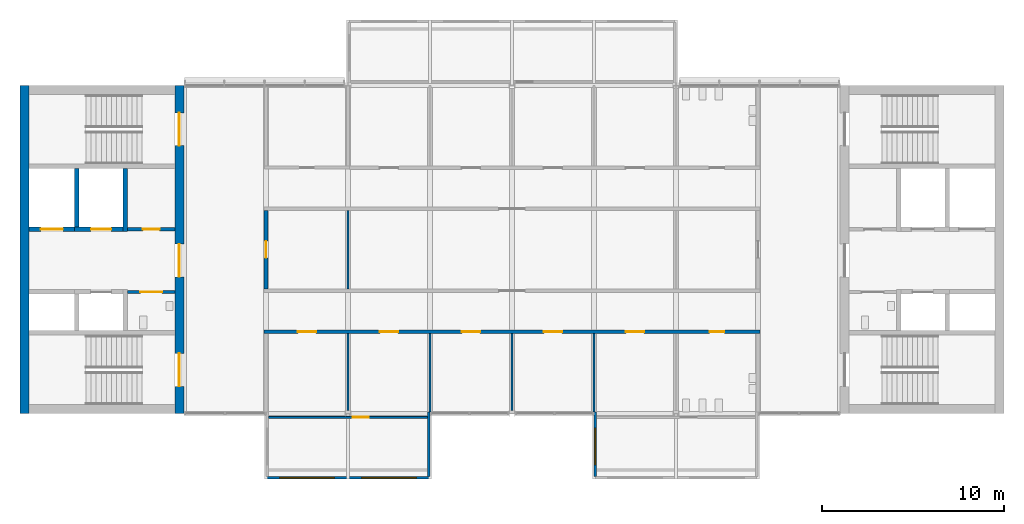
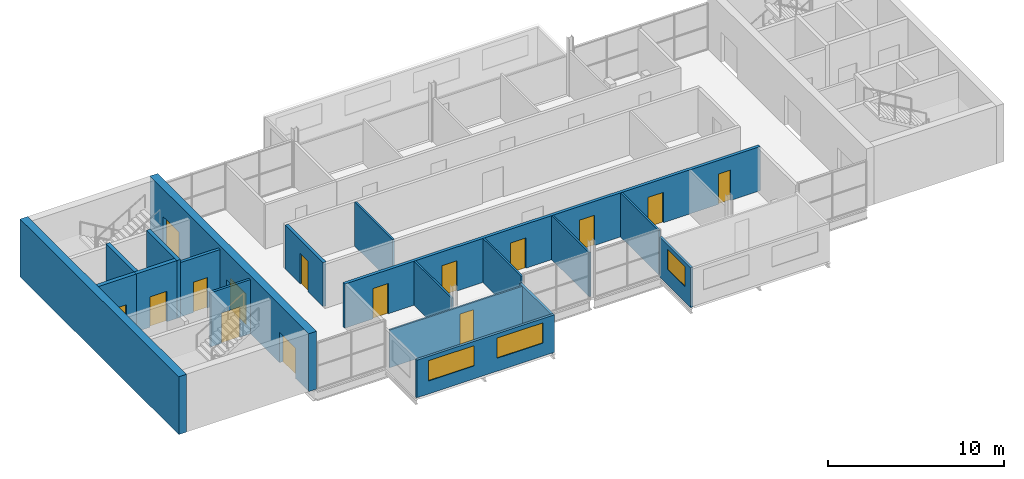
# One storey, part 5 of 10: 19 walls, 15 doors, 3 windows, 18 openings.
"""IFC4 building model written with IfcOpenShell, lengths in metres."""

from ifc_helpers import new_model, si_unit, direction, frame, frame_2d, origin, place, context, subcontext, project, spatial, rectangle, extrude, material, layer, layer_set, type_object, element, fill, save


model = new_model("IFC4")

# Units and contexts
model_context = context("Model", 3, precision=1e-05, world=origin(), true_north=direction((0.0, 1.0)))
body_context = subcontext(model_context, "Body", "Model", "MODEL_VIEW")
ifc_project = project(units=[si_unit("LENGTHUNIT", "METRE"), si_unit("AREAUNIT", "SQUARE_METRE"), si_unit("VOLUMEUNIT", "CUBIC_METRE"), si_unit("PLANEANGLEUNIT", "RADIAN"), si_unit("MASSUNIT", "GRAM", prefix="KILO")], contexts=[model_context])

# Site, building, storey
site_placement = place(None, origin())
site = spatial("IfcSite", under=ifc_project, at=site_placement, CompositionType="ELEMENT")
building_placement = place(site_placement, origin())
building = spatial("IfcBuilding", under=site, at=building_placement, Name="Corbel Yard City Hall", CompositionType="ELEMENT")
storey_placement = place(building_placement, frame((0.0, 0.0, 59.199951171875)))
storey = spatial("IfcBuildingStorey", under=building, at=storey_placement, Name="L14", CompositionType="ELEMENT", Elevation=59.199951171875)

# Walls
ifc_material_1 = material(Name="Concrete N40 (40 MPa)", Category="concrete")
ifc_layer_1 = layer(ifc_material_1, 0.25)
ifc_layer_set_1 = layer_set([ifc_layer_1], Name="Concrete N40 (40 MPa)")
wall_type_1 = type_object("IfcWallType", Name="IW2", PredefinedType="SOLIDWALL", material=ifc_layer_set_1)
wall_1_placement = place(storey_placement, frame((5.77490234375, 109.0, 0.0), z_axis=(0.0, 0.0, 1.0), x_axis=(0.0, 1.0, 0.0)))
element("IfcWall", 1, at=wall_1_placement, inside=storey, type_object=wall_type_1, Name="Lift LP24 shaft wall", PredefinedType="SOLIDWALL", context=body_context, shape_type="SweptSolid", body=[
    extrude(rectangle(XDim=3.449951171875, YDim=0.25, at=frame_2d((1.72509765625, 0.0))), origin(), (0.0, 0.0, 1.0), 4.0),
])
wall_2_placement = place(storey_placement, frame((3.125, 109.25, 0.0), z_axis=(0.0, 0.0, 1.0), x_axis=(0.0, 1.0, 0.0)))
element("IfcWall", 2, at=wall_2_placement, inside=storey, type_object=wall_type_1, Name="Lift LP24 shaft wall", PredefinedType="SOLIDWALL", context=body_context, shape_type="SweptSolid", body=[
    extrude(rectangle(XDim=3.199951171875, YDim=0.25, at=frame_2d((1.60009765625, 0.0))), origin(), (0.0, 0.0, 1.0), 4.0),
])

# Wall, opening, door
wall_3_placement = place(storey_placement, frame((5.64990234375, 109.125, 0.0), z_axis=(0.0, 0.0, 1.0), x_axis=(-1.0, 0.0, 0.0)))
wall_3 = element("IfcWall", 3, at=wall_3_placement, inside=storey, type_object=wall_type_1, Name="Lift LP24 shaft wall", PredefinedType="SOLIDWALL", context=body_context, shape_type="SweptSolid", body=[
    extrude(rectangle(XDim=2.64990234375, YDim=0.25, at=frame_2d((1.324951171875, 0.0))), origin(), (0.0, 0.0, 1.0), 4.0),
])
opening_1_placement = place(wall_3_placement, frame((0.64990234375, 0.0, 0.0)))
opening_1 = element("IfcOpeningElement", 4, at=opening_1_placement, cuts=wall_3, Name="Opening T4-005", PredefinedType="OPENING", context=body_context, shape_type="SweptSolid", body=[
    extrude(rectangle(XDim=1.10009765625, YDim=2.10009765625, at=frame_2d((0.550048828125, 1.050048828125))), frame((0.0, 0.135009765625, 0.0), z_axis=(0.0, -1.0, 0.0), x_axis=(1.0, 0.0, 0.0)), (0.0, 0.0, 1.0), 0.27001953125),
])
ifc_material_2 = material(Name="Stainless steel Grade 316", Category="steel")
door_type_1 = type_object("IfcDoorType", Name="LD1", OperationType="DOUBLE_DOOR_SLIDING", PredefinedType="DOOR", material=ifc_material_2)
door_1_placement = place(opening_1_placement, origin())
door_1 = element("IfcDoor", 5, at=door_1_placement, inside=storey, type_object=door_type_1, Name="Lift LP24 landing door", OperationType="DOUBLE_DOOR_SLIDING", OverallHeight=2.10009765625, OverallWidth=1.10009765625, PredefinedType="DOOR", context=body_context, shape_type="SweptSolid", body=[
    extrude(rectangle(XDim=1.10009765625, YDim=2.10009765625, at=frame_2d((0.550048828125, 1.050048828125))), frame((0.0, 0.02490234375, 0.0), z_axis=(0.0, -1.0, 0.0), x_axis=(1.0, 0.0, 0.0)), (0.0, 0.0, 1.0), 0.050048828125),
])
fill(opening_1, door_1)

wall_4_placement = place(storey_placement, frame((3.0, 109.125, 0.0), z_axis=(0.0, 0.0, 1.0), x_axis=(-1.0, 0.0, 0.0)))
wall_4 = element("IfcWall", 6, at=wall_4_placement, inside=storey, type_object=wall_type_1, Name="Lift LF1 shaft wall", PredefinedType="SOLIDWALL", context=body_context, shape_type="SweptSolid", body=[
    extrude(rectangle(XDim=2.5, YDim=0.25, at=frame_2d((1.25, 0.0))), origin(), (0.0, 0.0, 1.0), 4.0),
])
opening_2_placement = place(wall_4_placement, frame((0.64990234375, 0.0, 0.0)))
opening_2 = element("IfcOpeningElement", 7, at=opening_2_placement, cuts=wall_4, Name="Opening T4-006", PredefinedType="OPENING", context=body_context, shape_type="SweptSolid", body=[
    extrude(rectangle(XDim=1.199951171875, YDim=2.10009765625, at=frame_2d((0.60009765625, 1.050048828125))), frame((0.0, 0.135009765625, 0.0), z_axis=(0.0, -1.0, 0.0), x_axis=(1.0, 0.0, 0.0)), (0.0, 0.0, 1.0), 0.27001953125),
])
door_type_2 = type_object("IfcDoorType", Name="LD2", OperationType="DOUBLE_DOOR_SLIDING", PredefinedType="DOOR", material=ifc_material_2)
door_2_placement = place(opening_2_placement, origin())
door_2 = element("IfcDoor", 8, at=door_2_placement, inside=storey, type_object=door_type_2, Name="Lift LF1 landing door", OperationType="DOUBLE_DOOR_SLIDING", OverallHeight=2.10009765625, OverallWidth=1.199951171875, PredefinedType="DOOR", context=body_context, shape_type="SweptSolid", body=[
    extrude(rectangle(XDim=1.199951171875, YDim=2.10009765625, at=frame_2d((0.60009765625, 1.050048828125))), frame((0.0, 0.02490234375, 0.0), z_axis=(0.0, -1.0, 0.0), x_axis=(1.0, 0.0, 0.0)), (0.0, 0.0, 1.0), 0.050048828125),
])
fill(opening_2, door_2)

# Wall, openings, windows
ifc_material_3 = material(Name="Anodised aluminium", Category="aluminium")
ifc_layer_2 = layer(ifc_material_3, 0.02392578125)
ifc_material_4 = material(Name="Steel Grade G550 (550 MPa yield)", Category="steel")
ifc_layer_3 = layer(ifc_material_4, 0.10009765625)
ifc_material_5 = material(Name="Gypsum plasterboard", Category="gypsum")
ifc_layer_4 = layer(ifc_material_5, 0.02587890625)
ifc_layer_set_2 = layer_set([ifc_layer_2, ifc_layer_3, ifc_layer_4], Name="Steel Grade G550 (550 MPa yield)")
wall_type_2 = type_object("IfcWallType", Name="PD1", PredefinedType="SOLIDWALL", material=ifc_layer_set_2)
wall_5_placement = place(storey_placement, frame((13.5, 95.47509765625, 0.0), z_axis=(0.0, 0.0, 1.0), x_axis=(1.0, 0.0, 0.0)))
wall_5 = element("IfcWall", 9, at=wall_5_placement, inside=storey, type_object=wall_type_2, Name="Pod outer wall L14", PredefinedType="SOLIDWALL", context=body_context, shape_type="SweptSolid", body=[
    extrude(rectangle(XDim=9.0, YDim=0.14990234375, at=frame_2d((4.5, 0.0))), origin(), (0.0, 0.0, 1.0), 2.60009765625),
])
opening_3_placement = place(wall_5_placement, frame((0.75, 0.0, 0.89990234375)))
opening_3 = element("IfcOpeningElement", 10, at=opening_3_placement, cuts=wall_5, Name="Opening WN5", PredefinedType="OPENING", context=body_context, shape_type="SweptSolid", body=[
    extrude(rectangle(XDim=3.0, YDim=1.39990234375, at=frame_2d((1.5, 0.699951171875))), frame((0.0, 0.0849609375, 0.0), z_axis=(0.0, -1.0, 0.0), x_axis=(1.0, 0.0, 0.0)), (0.0, 0.0, 1.0), 0.169921875),
])
opening_4_placement = place(wall_5_placement, frame((5.25, 0.0, 0.89990234375)))
opening_4 = element("IfcOpeningElement", 11, at=opening_4_placement, cuts=wall_5, Name="Opening WN5", PredefinedType="OPENING", context=body_context, shape_type="SweptSolid", body=[
    extrude(rectangle(XDim=3.0, YDim=1.39990234375, at=frame_2d((1.5, 0.699951171875))), frame((0.0, 0.0849609375, 0.0), z_axis=(0.0, -1.0, 0.0), x_axis=(1.0, 0.0, 0.0)), (0.0, 0.0, 1.0), 0.169921875),
])
ifc_material_6 = material(Name="Aluminium frame, double glazed low-e glass", Category="aluminium")
window_type_1 = type_object("IfcWindowType", Name="WN5", PartitioningType="SINGLE_PANEL", PredefinedType="WINDOW", material=ifc_material_6)
window_1_placement = place(opening_3_placement, origin())
window_1 = element("IfcWindow", 12, at=window_1_placement, inside=storey, type_object=window_type_1, Name="Window WN5 L14", OverallHeight=1.39990234375, OverallWidth=3.0, PartitioningType="SINGLE_PANEL", PredefinedType="WINDOW", context=body_context, shape_type="SweptSolid", body=[
    extrude(rectangle(XDim=3.0, YDim=1.39990234375, at=frame_2d((1.5, 0.699951171875))), frame((0.0, 0.030029296875, 0.0), z_axis=(0.0, -1.0, 0.0), x_axis=(1.0, 0.0, 0.0)), (0.0, 0.0, 1.0), 0.06005859375),
])
fill(opening_3, window_1)
window_2_placement = place(opening_4_placement, origin())
window_2 = element("IfcWindow", 13, at=window_2_placement, inside=storey, type_object=window_type_1, Name="Window WN5 L14", OverallHeight=1.39990234375, OverallWidth=3.0, PartitioningType="SINGLE_PANEL", PredefinedType="WINDOW", context=body_context, shape_type="SweptSolid", body=[
    extrude(rectangle(XDim=3.0, YDim=1.39990234375, at=frame_2d((1.5, 0.699951171875))), frame((0.0, 0.030029296875, 0.0), z_axis=(0.0, -1.0, 0.0), x_axis=(1.0, 0.0, 0.0)), (0.0, 0.0, 1.0), 0.06005859375),
])
fill(opening_4, window_2)

# Wall, opening, door
ifc_layer_5 = layer(ifc_material_5, 0.01806640625)
ifc_layer_6 = layer(ifc_material_4, 0.06396484375)
ifc_layer_7 = layer(ifc_material_5, 0.01806640625)
ifc_layer_set_3 = layer_set([ifc_layer_5, ifc_layer_6, ifc_layer_7], Name="Steel Grade G550 (550 MPa yield)")
wall_type_3 = type_object("IfcWallType", Name="PD2", PredefinedType="PARTITIONING", material=ifc_layer_set_3)
wall_6_placement = place(storey_placement, frame((13.64990234375, 98.79443359375, 0.0), z_axis=(0.0, 0.0, 1.0), x_axis=(1.0, 0.0, 0.0)))
wall_6 = element("IfcWall", 14, at=wall_6_placement, inside=storey, type_object=wall_type_3, Name="Pod inner wall L14", PredefinedType="PARTITIONING", context=body_context, shape_type="SweptSolid", body=[
    extrude(rectangle(XDim=8.7001953125, YDim=0.10009765625, at=frame_2d((4.35009765625, 0.0))), origin(), (0.0, 0.0, 1.0), 2.60009765625),
])
opening_5_placement = place(wall_6_placement, frame((4.60009765625, 0.0, 0.0)))
opening_5 = element("IfcOpeningElement", 15, at=opening_5_placement, cuts=wall_6, Name="Opening T4-001", PredefinedType="OPENING", context=body_context, shape_type="SweptSolid", body=[
    extrude(rectangle(XDim=0.89990234375, YDim=2.10009765625, at=frame_2d((0.449951171875, 1.050048828125))), frame((0.0, 0.06005859375, 0.0), z_axis=(0.0, -1.0, 0.0), x_axis=(1.0, 0.0, 0.0)), (0.0, 0.0, 1.0), 0.1201171875),
])
ifc_material_7 = material(Name="Timber, solid core", Category="wood")
door_type_3 = type_object("IfcDoorType", Name="XD6", OperationType="SINGLE_SWING_LEFT", PredefinedType="DOOR", material=ifc_material_7)
door_3_placement = place(opening_5_placement, origin())
door_3 = element("IfcDoor", 16, at=door_3_placement, inside=storey, type_object=door_type_3, Name="Pod door L14", OperationType="SINGLE_SWING_LEFT", OverallHeight=2.10009765625, OverallWidth=0.89990234375, PredefinedType="DOOR", context=body_context, shape_type="SweptSolid", body=[
    extrude(rectangle(XDim=0.89990234375, YDim=2.10009765625, at=frame_2d((0.449951171875, 1.050048828125))), frame((0.0, 0.02490234375, 0.0), z_axis=(0.0, -1.0, 0.0), x_axis=(1.0, 0.0, 0.0)), (0.0, 0.0, 1.0), 0.050048828125),
])
fill(opening_5, door_3)

# Wall
ifc_layer_8 = layer(ifc_material_3, 0.02392578125)
ifc_layer_9 = layer(ifc_material_4, 0.10009765625)
ifc_layer_10 = layer(ifc_material_5, 0.02587890625)
ifc_layer_set_4 = layer_set([ifc_layer_8, ifc_layer_9, ifc_layer_10], Name="Steel Grade G550 (550 MPa yield)")
wall_type_4 = type_object("IfcWallType", Name="PD3", PredefinedType="SOLIDWALL", material=ifc_layer_set_4)
wall_7_placement = place(storey_placement, frame((22.425048828125, 95.550048828125, -0.14990234375), z_axis=(0.0, 0.0, 1.0), x_axis=(0.0, 1.0, 0.0)))
element("IfcWall", 17, at=wall_7_placement, inside=storey, type_object=wall_type_4, Name="Pod side wall L14", PredefinedType="SOLIDWALL", context=body_context, shape_type="SweptSolid", body=[
    extrude(rectangle(XDim=3.52490234375, YDim=0.14990234375, at=frame_2d((1.762451171875, 0.0))), origin(), (0.0, 0.0, 1.0), 2.75),
])

# Wall, opening, window
wall_8_placement = place(storey_placement, frame((31.574951171875, 95.550048828125, -0.14990234375), z_axis=(0.0, 0.0, 1.0), x_axis=(0.0, 1.0, 0.0)))
wall_8 = element("IfcWall", 18, at=wall_8_placement, inside=storey, type_object=wall_type_4, Name="Pod side wall L14", PredefinedType="SOLIDWALL", context=body_context, shape_type="SweptSolid", body=[
    extrude(rectangle(XDim=3.52490234375, YDim=0.14990234375, at=frame_2d((1.762451171875, 0.0))), origin(), (0.0, 0.0, 1.0), 2.75),
])
opening_6_placement = place(wall_8_placement, frame((0.647216796875, 0.0, 1.050048828125)))
opening_6 = element("IfcOpeningElement", 19, at=opening_6_placement, cuts=wall_8, Name="Opening WN6", PredefinedType="OPENING", context=body_context, shape_type="SweptSolid", body=[
    extrude(rectangle(XDim=2.0, YDim=1.39990234375, at=frame_2d((1.0, 0.699951171875))), frame((0.0, 0.0849609375, 0.0), z_axis=(0.0, -1.0, 0.0), x_axis=(1.0, 0.0, 0.0)), (0.0, 0.0, 1.0), 0.169921875),
])
window_type_2 = type_object("IfcWindowType", Name="WN6", PartitioningType="SINGLE_PANEL", PredefinedType="WINDOW", material=ifc_material_6)
window_3_placement = place(opening_6_placement, origin())
window_3 = element("IfcWindow", 20, at=window_3_placement, inside=storey, type_object=window_type_2, Name="Window WN6 L14", OverallHeight=1.39990234375, OverallWidth=2.0, PartitioningType="SINGLE_PANEL", PredefinedType="WINDOW", context=body_context, shape_type="SweptSolid", body=[
    extrude(rectangle(XDim=2.0, YDim=1.39990234375, at=frame_2d((1.0, 0.699951171875))), frame((0.0, 0.030029296875, 0.0), z_axis=(0.0, -1.0, 0.0), x_axis=(1.0, 0.0, 0.0)), (0.0, 0.0, 1.0), 0.06005859375),
])
fill(opening_6, window_3)

# Walls
ifc_layer_11 = layer(ifc_material_5, 0.028076171875)
ifc_layer_12 = layer(ifc_material_4, 0.06396484375)
ifc_layer_13 = layer(ifc_material_5, 0.028076171875)
ifc_layer_set_5 = layer_set([ifc_layer_11, ifc_layer_12, ifc_layer_13], Name="Steel Grade G550 (550 MPa yield)")
wall_type_5 = type_object("IfcWallType", Name="PT1", PredefinedType="PARTITIONING", material=ifc_layer_set_5)
wall_9_placement = place(storey_placement, frame((18.0, 99.16357421875, 0.0), z_axis=(0.0, 0.0, 1.0), x_axis=(0.0, 1.0, 0.0)))
element("IfcWall", 21, at=wall_9_placement, inside=storey, type_object=wall_type_5, Name="Partition", PredefinedType="PARTITIONING", context=body_context, shape_type="SweptSolid", body=[
    extrude(rectangle(XDim=4.236328125, YDim=0.1201171875, at=frame_2d((2.1181640625, 0.0))), origin(), (0.0, 0.0, 1.0), 3.050048828125),
])
wall_10_placement = place(storey_placement, frame((18.0, 105.85009765625, 0.0), z_axis=(0.0, 0.0, 1.0), x_axis=(0.0, 1.0, 0.0)))
element("IfcWall", 22, at=wall_10_placement, inside=storey, type_object=wall_type_5, Name="Partition", PredefinedType="PARTITIONING", context=body_context, shape_type="SweptSolid", body=[
    extrude(rectangle(XDim=4.2998046875, YDim=0.1201171875, at=frame_2d((2.14990234375, 0.0))), origin(), (0.0, 0.0, 1.0), 3.050048828125),
])
wall_11_placement = place(storey_placement, frame((22.5, 99.074951171875, 0.0), z_axis=(0.0, 0.0, 1.0), x_axis=(0.0, 1.0, 0.0)))
element("IfcWall", 23, at=wall_11_placement, inside=storey, type_object=wall_type_5, Name="Partition", PredefinedType="PARTITIONING", context=body_context, shape_type="SweptSolid", body=[
    extrude(rectangle(XDim=4.324951171875, YDim=0.1201171875, at=frame_2d((2.16259765625, 0.0))), origin(), (0.0, 0.0, 1.0), 3.050048828125),
])
wall_12_placement = place(storey_placement, frame((27.0, 99.16357421875, 0.0), z_axis=(0.0, 0.0, 1.0), x_axis=(0.0, 1.0, 0.0)))
element("IfcWall", 24, at=wall_12_placement, inside=storey, type_object=wall_type_5, Name="Partition", PredefinedType="PARTITIONING", context=body_context, shape_type="SweptSolid", body=[
    extrude(rectangle(XDim=4.236328125, YDim=0.1201171875, at=frame_2d((2.1181640625, 0.0))), origin(), (0.0, 0.0, 1.0), 3.050048828125),
])
wall_13_placement = place(storey_placement, frame((31.5, 99.074951171875, 0.0), z_axis=(0.0, 0.0, 1.0), x_axis=(0.0, 1.0, 0.0)))
element("IfcWall", 25, at=wall_13_placement, inside=storey, type_object=wall_type_5, Name="Partition", PredefinedType="PARTITIONING", context=body_context, shape_type="SweptSolid", body=[
    extrude(rectangle(XDim=4.324951171875, YDim=0.1201171875, at=frame_2d((2.16259765625, 0.0))), origin(), (0.0, 0.0, 1.0), 3.050048828125),
])

# Wall, openings, doors
ifc_layer_14 = layer(ifc_material_5, 0.031982421875)
ifc_layer_15 = layer(ifc_material_4, 0.135986328125)
ifc_layer_16 = layer(ifc_material_5, 0.031982421875)
ifc_layer_set_6 = layer_set([ifc_layer_14, ifc_layer_15, ifc_layer_16], Name="Steel Grade G550 (550 MPa yield)")
wall_type_6 = type_object("IfcWallType", Name="PT2", PredefinedType="PARTITIONING", material=ifc_layer_set_6)
wall_14_placement = place(storey_placement, frame((13.39990234375, 103.5, 0.0), z_axis=(0.0, 0.0, 1.0), x_axis=(1.0, 0.0, 0.0)))
wall_14 = element("IfcWall", 26, at=wall_14_placement, inside=storey, type_object=wall_type_6, Name="Acoustic wall", PredefinedType="PARTITIONING", context=body_context, shape_type="SweptSolid", body=[
    extrude(rectangle(XDim=27.2001953125, YDim=0.199951171875, at=frame_2d((13.60009765625, 0.0))), origin(), (0.0, 0.0, 1.0), 3.050048828125),
])
opening_7_placement = place(wall_14_placement, frame((1.85009765625, 0.0, 0.0)))
opening_7 = element("IfcOpeningElement", 27, at=opening_7_placement, cuts=wall_14, Name="Opening T4-014", PredefinedType="OPENING", context=body_context, shape_type="SweptSolid", body=[
    extrude(rectangle(XDim=1.0, YDim=2.10009765625, at=frame_2d((0.5, 1.050048828125))), frame((0.0, 0.10986328125, 0.0), z_axis=(0.0, -1.0, 0.0), x_axis=(1.0, 0.0, 0.0)), (0.0, 0.0, 1.0), 0.219970703125),
])
opening_8_placement = place(wall_14_placement, frame((6.35009765625, 0.0, 0.0)))
opening_8 = element("IfcOpeningElement", 28, at=opening_8_placement, cuts=wall_14, Name="Opening T4-015", PredefinedType="OPENING", context=body_context, shape_type="SweptSolid", body=[
    extrude(rectangle(XDim=1.0, YDim=2.10009765625, at=frame_2d((0.5, 1.050048828125))), frame((0.0, 0.10986328125, 0.0), z_axis=(0.0, -1.0, 0.0), x_axis=(1.0, 0.0, 0.0)), (0.0, 0.0, 1.0), 0.219970703125),
])
opening_9_placement = place(wall_14_placement, frame((10.85009765625, 0.0, 0.0)))
opening_9 = element("IfcOpeningElement", 29, at=opening_9_placement, cuts=wall_14, Name="Opening T4-016", PredefinedType="OPENING", context=body_context, shape_type="SweptSolid", body=[
    extrude(rectangle(XDim=1.0, YDim=2.10009765625, at=frame_2d((0.5, 1.050048828125))), frame((0.0, 0.10986328125, 0.0), z_axis=(0.0, -1.0, 0.0), x_axis=(1.0, 0.0, 0.0)), (0.0, 0.0, 1.0), 0.219970703125),
])
opening_10_placement = place(wall_14_placement, frame((15.35009765625, 0.0, 0.0)))
opening_10 = element("IfcOpeningElement", 30, at=opening_10_placement, cuts=wall_14, Name="Opening T4-017", PredefinedType="OPENING", context=body_context, shape_type="SweptSolid", body=[
    extrude(rectangle(XDim=1.0, YDim=2.10009765625, at=frame_2d((0.5, 1.050048828125))), frame((0.0, 0.10986328125, 0.0), z_axis=(0.0, -1.0, 0.0), x_axis=(1.0, 0.0, 0.0)), (0.0, 0.0, 1.0), 0.219970703125),
])
opening_11_placement = place(wall_14_placement, frame((19.85009765625, 0.0, 0.0)))
opening_11 = element("IfcOpeningElement", 31, at=opening_11_placement, cuts=wall_14, Name="Opening T4-018", PredefinedType="OPENING", context=body_context, shape_type="SweptSolid", body=[
    extrude(rectangle(XDim=1.0, YDim=2.10009765625, at=frame_2d((0.5, 1.050048828125))), frame((0.0, 0.10986328125, 0.0), z_axis=(0.0, -1.0, 0.0), x_axis=(1.0, 0.0, 0.0)), (0.0, 0.0, 1.0), 0.219970703125),
])
opening_12_placement = place(wall_14_placement, frame((24.449951171875, 0.0, 0.0)))
opening_12 = element("IfcOpeningElement", 32, at=opening_12_placement, cuts=wall_14, Name="Opening T4-019", PredefinedType="OPENING", context=body_context, shape_type="SweptSolid", body=[
    extrude(rectangle(XDim=0.800048828125, YDim=2.10009765625, at=frame_2d((0.39990234375, 1.050048828125))), frame((0.0, 0.10986328125, 0.0), z_axis=(0.0, -1.0, 0.0), x_axis=(1.0, 0.0, 0.0)), (0.0, 0.0, 1.0), 0.219970703125),
])
ifc_material_8 = material(Name="Timber", Category="wood")
door_type_4 = type_object("IfcDoorType", Name="D1", OperationType="SINGLE_SWING_LEFT", PredefinedType="DOOR", material=ifc_material_8)
door_4_placement = place(opening_7_placement, frame((1.0, 0.0, 0.0), z_axis=(0.0, 0.0, 1.0), x_axis=(-1.0, 0.0, 0.0)))
door_4 = element("IfcDoor", 33, at=door_4_placement, inside=storey, type_object=door_type_4, Name="Door Officer's Office 1412", OperationType="SINGLE_SWING_RIGHT", OverallHeight=2.10009765625, OverallWidth=1.0, PredefinedType="DOOR", context=body_context, shape_type="SweptSolid", body=[
    extrude(rectangle(XDim=1.0, YDim=2.10009765625, at=frame_2d((0.5, 1.050048828125))), frame((0.0, 0.02490234375, 0.0), z_axis=(0.0, -1.0, 0.0), x_axis=(1.0, 0.0, 0.0)), (0.0, 0.0, 1.0), 0.050048828125),
])
fill(opening_7, door_4)
door_5_placement = place(opening_8_placement, frame((1.0, 0.0, 0.0), z_axis=(0.0, 0.0, 1.0), x_axis=(-1.0, 0.0, 0.0)))
door_5 = element("IfcDoor", 34, at=door_5_placement, inside=storey, type_object=door_type_4, Name="Door Officer's Office 1413", OperationType="SINGLE_SWING_RIGHT", OverallHeight=2.10009765625, OverallWidth=1.0, PredefinedType="DOOR", context=body_context, shape_type="SweptSolid", body=[
    extrude(rectangle(XDim=1.0, YDim=2.10009765625, at=frame_2d((0.5, 1.050048828125))), frame((0.0, 0.02490234375, 0.0), z_axis=(0.0, -1.0, 0.0), x_axis=(1.0, 0.0, 0.0)), (0.0, 0.0, 1.0), 0.050048828125),
])
fill(opening_8, door_5)
door_6_placement = place(opening_9_placement, frame((1.0, 0.0, 0.0), z_axis=(0.0, 0.0, 1.0), x_axis=(-1.0, 0.0, 0.0)))
door_6 = element("IfcDoor", 35, at=door_6_placement, inside=storey, type_object=door_type_4, Name="Door Officer's Office 1414", OperationType="SINGLE_SWING_RIGHT", OverallHeight=2.10009765625, OverallWidth=1.0, PredefinedType="DOOR", context=body_context, shape_type="SweptSolid", body=[
    extrude(rectangle(XDim=1.0, YDim=2.10009765625, at=frame_2d((0.5, 1.050048828125))), frame((0.0, 0.02490234375, 0.0), z_axis=(0.0, -1.0, 0.0), x_axis=(1.0, 0.0, 0.0)), (0.0, 0.0, 1.0), 0.050048828125),
])
fill(opening_9, door_6)
door_7_placement = place(opening_10_placement, frame((1.0, 0.0, 0.0), z_axis=(0.0, 0.0, 1.0), x_axis=(-1.0, 0.0, 0.0)))
door_7 = element("IfcDoor", 36, at=door_7_placement, inside=storey, type_object=door_type_4, Name="Door Officer's Office 1415", OperationType="SINGLE_SWING_RIGHT", OverallHeight=2.10009765625, OverallWidth=1.0, PredefinedType="DOOR", context=body_context, shape_type="SweptSolid", body=[
    extrude(rectangle(XDim=1.0, YDim=2.10009765625, at=frame_2d((0.5, 1.050048828125))), frame((0.0, 0.02490234375, 0.0), z_axis=(0.0, -1.0, 0.0), x_axis=(1.0, 0.0, 0.0)), (0.0, 0.0, 1.0), 0.050048828125),
])
fill(opening_10, door_7)
door_8_placement = place(opening_11_placement, frame((1.0, 0.0, 0.0), z_axis=(0.0, 0.0, 1.0), x_axis=(-1.0, 0.0, 0.0)))
door_8 = element("IfcDoor", 37, at=door_8_placement, inside=storey, type_object=door_type_4, Name="Door Officer's Office 1416", OperationType="SINGLE_SWING_RIGHT", OverallHeight=2.10009765625, OverallWidth=1.0, PredefinedType="DOOR", context=body_context, shape_type="SweptSolid", body=[
    extrude(rectangle(XDim=1.0, YDim=2.10009765625, at=frame_2d((0.5, 1.050048828125))), frame((0.0, 0.02490234375, 0.0), z_axis=(0.0, -1.0, 0.0), x_axis=(1.0, 0.0, 0.0)), (0.0, 0.0, 1.0), 0.050048828125),
])
fill(opening_11, door_8)
door_type_5 = type_object("IfcDoorType", Name="D44", OperationType="SINGLE_SWING_LEFT", PredefinedType="DOOR", material=ifc_material_8)
door_9_placement = place(opening_12_placement, frame((0.800048828125, 0.0, 0.0), z_axis=(0.0, 0.0, 1.0), x_axis=(-1.0, 0.0, 0.0)))
door_9 = element("IfcDoor", 38, at=door_9_placement, inside=storey, type_object=door_type_5, Name="Door Women's WC 1417", OperationType="SINGLE_SWING_RIGHT", OverallHeight=2.10009765625, OverallWidth=0.800048828125, PredefinedType="DOOR", context=body_context, shape_type="SweptSolid", body=[
    extrude(rectangle(XDim=0.800048828125, YDim=2.10009765625, at=frame_2d((0.39990234375, 1.050048828125))), frame((0.0, 0.02490234375, 0.0), z_axis=(0.0, -1.0, 0.0), x_axis=(1.0, 0.0, 0.0)), (0.0, 0.0, 1.0), 0.050048828125),
])
fill(opening_12, door_9)

# Wall, opening, door
wall_15_placement = place(storey_placement, frame((13.5, 105.85009765625, 0.0), z_axis=(0.0, 0.0, 1.0), x_axis=(0.0, 1.0, 0.0)))
wall_15 = element("IfcWall", 39, at=wall_15_placement, inside=storey, type_object=wall_type_6, Name="Acoustic wall", PredefinedType="PARTITIONING", context=body_context, shape_type="SweptSolid", body=[
    extrude(rectangle(XDim=4.2998046875, YDim=0.199951171875, at=frame_2d((2.14990234375, 0.0))), origin(), (0.0, 0.0, 1.0), 3.050048828125),
])
opening_13_placement = place(wall_15_placement, frame((1.68994140625, 0.0, 0.0)))
opening_13 = element("IfcOpeningElement", 40, at=opening_13_placement, cuts=wall_15, Name="Opening T4-012", PredefinedType="OPENING", context=body_context, shape_type="SweptSolid", body=[
    extrude(rectangle(XDim=0.919921875, YDim=2.10009765625, at=frame_2d((0.4599609375, 1.050048828125))), frame((0.0, 0.10986328125, 0.0), z_axis=(0.0, -1.0, 0.0), x_axis=(1.0, 0.0, 0.0)), (0.0, 0.0, 1.0), 0.219970703125),
])
door_type_6 = type_object("IfcDoorType", Name="D4", OperationType="SINGLE_SWING_LEFT", PredefinedType="DOOR", material=ifc_material_8)
door_10_placement = place(opening_13_placement, frame((0.919921875, 0.0, 0.0), z_axis=(0.0, 0.0, 1.0), x_axis=(-1.0, 0.0, 0.0)))
door_10 = element("IfcDoor", 41, at=door_10_placement, inside=storey, type_object=door_type_6, Name="Door Print Room 1410", OperationType="SINGLE_SWING_RIGHT", OverallHeight=2.10009765625, OverallWidth=0.919921875, PredefinedType="DOOR", context=body_context, shape_type="SweptSolid", body=[
    extrude(rectangle(XDim=0.919921875, YDim=2.10009765625, at=frame_2d((0.4599609375, 1.050048828125))), frame((0.0, 0.02490234375, 0.0), z_axis=(0.0, -1.0, 0.0), x_axis=(1.0, 0.0, 0.0)), (0.0, 0.0, 1.0), 0.050048828125),
])
fill(opening_13, door_10)

ifc_layer_17 = layer(ifc_material_5, 0.031982421875)
ifc_layer_18 = layer(ifc_material_4, 0.095947265625)
ifc_layer_19 = layer(ifc_material_5, 0.031982421875)
ifc_layer_set_7 = layer_set([ifc_layer_17, ifc_layer_18, ifc_layer_19], Name="Steel Grade G550 (550 MPa yield)")
wall_type_7 = type_object("IfcWallType", Name="PT3", PredefinedType="PARTITIONING", material=ifc_layer_set_7)
wall_16_placement = place(storey_placement, frame((8.5, 105.675048828125, 0.0), z_axis=(0.0, 0.0, 1.0), x_axis=(-1.0, 0.0, 0.0)))
wall_16 = element("IfcWall", 42, at=wall_16_placement, inside=storey, type_object=wall_type_7, Name="Accessible WC wall", PredefinedType="PARTITIONING", context=body_context, shape_type="SweptSolid", body=[
    extrude(rectangle(XDim=2.60009765625, YDim=0.159912109375, at=frame_2d((1.300048828125, 0.0))), origin(), (0.0, 0.0, 1.0), 3.75),
])
opening_14_placement = place(wall_16_placement, frame((0.699951171875, 0.0, 0.0)))
opening_14 = element("IfcOpeningElement", 43, at=opening_14_placement, cuts=wall_16, Name="Opening T4-029", PredefinedType="OPENING", context=body_context, shape_type="SweptSolid", body=[
    extrude(rectangle(XDim=1.199951171875, YDim=2.10009765625, at=frame_2d((0.60009765625, 1.050048828125))), frame((0.0, 0.08984375, 0.0), z_axis=(0.0, -1.0, 0.0), x_axis=(1.0, 0.0, 0.0)), (0.0, 0.0, 1.0), 0.179931640625),
])
ifc_material_9 = material(Name="Steel Grade G250", Category="steel")
door_type_7 = type_object("IfcDoorType", Name="FD7", OperationType="SINGLE_SWING_LEFT", PredefinedType="DOOR", material=ifc_material_9)
door_11_placement = place(opening_14_placement, origin())
door_11 = element("IfcDoor", 44, at=door_11_placement, inside=storey, type_object=door_type_7, Name="Door accessible WC West", OperationType="SINGLE_SWING_LEFT", OverallHeight=2.10009765625, OverallWidth=1.199951171875, PredefinedType="DOOR", context=body_context, shape_type="SweptSolid", body=[
    extrude(rectangle(XDim=1.199951171875, YDim=2.10009765625, at=frame_2d((0.60009765625, 1.050048828125))), frame((0.0, 0.02490234375, 0.0), z_axis=(0.0, -1.0, 0.0), x_axis=(1.0, 0.0, 0.0)), (0.0, 0.0, 1.0), 0.050048828125),
])
fill(opening_14, door_11)

ifc_material_10 = material(Name="Concrete block", Category="concrete")
ifc_layer_20 = layer(ifc_material_10, 0.18994140625)
ifc_layer_set_8 = layer_set([ifc_layer_20], Name="Concrete block")
wall_type_8 = type_object("IfcWallType", Name="PT4", PredefinedType="PARTITIONING", material=ifc_layer_set_8)
wall_17_placement = place(storey_placement, frame((8.5, 109.125, 0.0), z_axis=(0.0, 0.0, 1.0), x_axis=(-1.0, 0.0, 0.0)))
wall_17 = element("IfcWall", 45, at=wall_17_placement, inside=storey, type_object=wall_type_8, Name="Riser wall", PredefinedType="PARTITIONING", context=body_context, shape_type="SweptSolid", body=[
    extrude(rectangle(XDim=2.60009765625, YDim=0.18994140625, at=frame_2d((1.300048828125, 0.0))), origin(), (0.0, 0.0, 1.0), 3.75),
])
opening_15_placement = place(wall_17_placement, frame((0.840087890625, 0.0, 0.0)))
opening_15 = element("IfcOpeningElement", 46, at=opening_15_placement, cuts=wall_17, Name="Opening T4-030", PredefinedType="OPENING", context=body_context, shape_type="SweptSolid", body=[
    extrude(rectangle(XDim=0.919921875, YDim=2.10009765625, at=frame_2d((0.4599609375, 1.050048828125))), frame((0.0, 0.10498046875, 0.0), z_axis=(0.0, -1.0, 0.0), x_axis=(1.0, 0.0, 0.0)), (0.0, 0.0, 1.0), 0.2099609375),
])
door_type_8 = type_object("IfcDoorType", Name="FS4", OperationType="SINGLE_SWING_LEFT", PredefinedType="DOOR", material=ifc_material_9)
door_12_placement = place(opening_15_placement, frame((0.919921875, 0.0, 0.0), z_axis=(0.0, 0.0, 1.0), x_axis=(-1.0, 0.0, 0.0)))
door_12 = element("IfcDoor", 47, at=door_12_placement, inside=storey, type_object=door_type_8, Name="Door riser West", OperationType="SINGLE_SWING_RIGHT", OverallHeight=2.10009765625, OverallWidth=0.919921875, PredefinedType="DOOR", context=body_context, shape_type="SweptSolid", body=[
    extrude(rectangle(XDim=0.919921875, YDim=2.10009765625, at=frame_2d((0.4599609375, 1.050048828125))), frame((0.0, 0.02490234375, 0.0), z_axis=(0.0, -1.0, 0.0), x_axis=(1.0, 0.0, 0.0)), (0.0, 0.0, 1.0), 0.050048828125),
])
fill(opening_15, door_12)

# Wall
ifc_material_11 = material(Name="Concrete N50 (50 MPa)", Category="concrete")
ifc_layer_21 = layer(ifc_material_11, 0.5)
ifc_layer_set_9 = layer_set([ifc_layer_21], Name="Concrete N50 (50 MPa)")
wall_type_9 = type_object("IfcWallType", Name="Trunk wall 500", PredefinedType="SHEAR", material=ifc_layer_set_9)
wall_18_placement = place(storey_placement, frame((0.25, 99.0, 0.0), z_axis=(0.0, 0.0, 1.0), x_axis=(0.0, 1.0, 0.0)))
element("IfcWall", 48, at=wall_18_placement, inside=storey, type_object=wall_type_9, Name="Trunk W west wall", PredefinedType="SHEAR", context=body_context, shape_type="SweptSolid", body=[
    extrude(rectangle(XDim=18.0, YDim=0.5, at=frame_2d((9.0, 0.0))), origin(), (0.0, 0.0, 1.0), 4.0),
])

# Wall, openings, doors
wall_19_placement = place(storey_placement, frame((8.75, 99.0, 0.0), z_axis=(0.0, 0.0, 1.0), x_axis=(0.0, 1.0, 0.0)))
wall_19 = element("IfcWall", 49, at=wall_19_placement, inside=storey, type_object=wall_type_9, Name="Trunk W east wall", PredefinedType="SHEAR", context=body_context, shape_type="SweptSolid", body=[
    extrude(rectangle(XDim=18.0, YDim=0.5, at=frame_2d((9.0, 0.0))), origin(), (0.0, 0.0, 1.0), 4.0),
])
opening_16_placement = place(wall_19_placement, frame((1.5, 0.0, 0.0)))
opening_16 = element("IfcOpeningElement", 50, at=opening_16_placement, cuts=wall_19, Name="Opening T4-026", PredefinedType="OPENING", context=body_context, shape_type="SweptSolid", body=[
    extrude(rectangle(XDim=1.800048828125, YDim=2.10009765625, at=frame_2d((0.89990234375, 1.050048828125))), frame((0.0, 0.260009765625, 0.0), z_axis=(0.0, -1.0, 0.0), x_axis=(1.0, 0.0, 0.0)), (0.0, 0.0, 1.0), 0.52001953125),
])
opening_17_placement = place(wall_19_placement, frame((14.699951171875, 0.0, 0.0)))
opening_17 = element("IfcOpeningElement", 51, at=opening_17_placement, cuts=wall_19, Name="Opening T4-027", PredefinedType="OPENING", context=body_context, shape_type="SweptSolid", body=[
    extrude(rectangle(XDim=1.800048828125, YDim=2.10009765625, at=frame_2d((0.89990234375, 1.050048828125))), frame((0.0, 0.260009765625, 0.0), z_axis=(0.0, -1.0, 0.0), x_axis=(1.0, 0.0, 0.0)), (0.0, 0.0, 1.0), 0.52001953125),
])
opening_18_placement = place(wall_19_placement, frame((7.5, 0.0, 0.0)))
opening_18 = element("IfcOpeningElement", 52, at=opening_18_placement, cuts=wall_19, Name="Opening T4-028", PredefinedType="OPENING", context=body_context, shape_type="SweptSolid", body=[
    extrude(rectangle(XDim=1.800048828125, YDim=2.10009765625, at=frame_2d((0.89990234375, 1.050048828125))), frame((0.0, 0.260009765625, 0.0), z_axis=(0.0, -1.0, 0.0), x_axis=(1.0, 0.0, 0.0)), (0.0, 0.0, 1.0), 0.52001953125),
])
door_type_9 = type_object("IfcDoorType", Name="FS3", OperationType="DOUBLE_DOOR_SINGLE_SWING", PredefinedType="DOOR", material=ifc_material_9)
door_13_placement = place(opening_16_placement, origin())
door_13 = element("IfcDoor", 53, at=door_13_placement, inside=storey, type_object=door_type_9, Name="Door ST-W1", OperationType="DOUBLE_DOOR_SINGLE_SWING", OverallHeight=2.10009765625, OverallWidth=1.800048828125, PredefinedType="DOOR", context=body_context, shape_type="SweptSolid", body=[
    extrude(rectangle(XDim=1.800048828125, YDim=2.10009765625, at=frame_2d((0.89990234375, 1.050048828125))), frame((0.0, 0.02490234375, 0.0), z_axis=(0.0, -1.0, 0.0), x_axis=(1.0, 0.0, 0.0)), (0.0, 0.0, 1.0), 0.050048828125),
])
fill(opening_16, door_13)
door_14_placement = place(opening_17_placement, origin())
door_14 = element("IfcDoor", 54, at=door_14_placement, inside=storey, type_object=door_type_9, Name="Door ST-W2", OperationType="DOUBLE_DOOR_SINGLE_SWING", OverallHeight=2.10009765625, OverallWidth=1.800048828125, PredefinedType="DOOR", context=body_context, shape_type="SweptSolid", body=[
    extrude(rectangle(XDim=1.800048828125, YDim=2.10009765625, at=frame_2d((0.89990234375, 1.050048828125))), frame((0.0, 0.02490234375, 0.0), z_axis=(0.0, -1.0, 0.0), x_axis=(1.0, 0.0, 0.0)), (0.0, 0.0, 1.0), 0.050048828125),
])
fill(opening_17, door_14)
door_15_placement = place(opening_18_placement, origin())
door_15 = element("IfcDoor", 55, at=door_15_placement, inside=storey, type_object=door_type_9, Name="Door lift lobby West", OperationType="DOUBLE_DOOR_SINGLE_SWING", OverallHeight=2.10009765625, OverallWidth=1.800048828125, PredefinedType="DOOR", context=body_context, shape_type="SweptSolid", body=[
    extrude(rectangle(XDim=1.800048828125, YDim=2.10009765625, at=frame_2d((0.89990234375, 1.050048828125))), frame((0.0, 0.02490234375, 0.0), z_axis=(0.0, -1.0, 0.0), x_axis=(1.0, 0.0, 0.0)), (0.0, 0.0, 1.0), 0.050048828125),
])
fill(opening_18, door_15)

save(model, "model.ifc")
